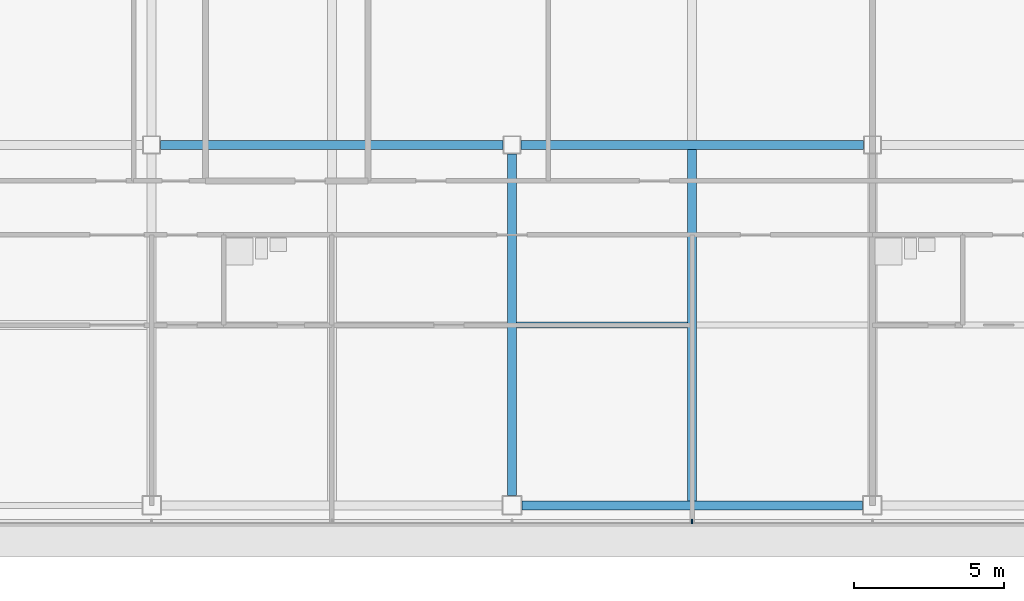
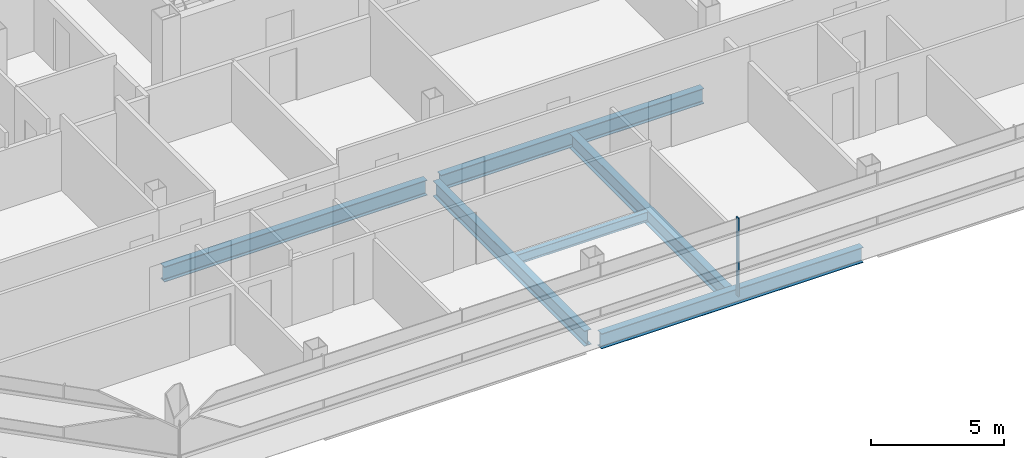
# One storey, part 3 of 26: 6 beams, 1 member, 1 element without a shape of its own.
"""IFC4 building model written with IfcOpenShell, lengths in metres."""

from ifc_helpers import new_model, si_unit, direction, frame, origin, origin_2d, place, context, subcontext, project, spatial, rectangle, i_section, extrude, material, material_profile, profile_set, type_object, element, aggregate, save


model = new_model("IFC4")

# Units and contexts
model_context = context("Model", 3, precision=1e-05, world=origin(), true_north=direction((0.0, 1.0)))
body_context = subcontext(model_context, "Body", "Model", "MODEL_VIEW")
ifc_project = project(units=[si_unit("LENGTHUNIT", "METRE"), si_unit("AREAUNIT", "SQUARE_METRE"), si_unit("VOLUMEUNIT", "CUBIC_METRE"), si_unit("PLANEANGLEUNIT", "RADIAN"), si_unit("MASSUNIT", "GRAM", prefix="KILO")], contexts=[model_context])

# Site, building, storey
site_placement = place(None, origin())
site = spatial("IfcSite", under=ifc_project, at=site_placement, CompositionType="ELEMENT")
building_placement = place(site_placement, origin())
building = spatial("IfcBuilding", under=site, at=building_placement, Name="Sorahane Residences", CompositionType="ELEMENT")
storey_placement = place(building_placement, frame((0.0, 0.0, 215.39990234375)))
storey = spatial("IfcBuildingStorey", under=building, at=storey_placement, Name="L50", CompositionType="ELEMENT", Elevation=215.39990234375)

# Curtain wall, member
ifc_material_1 = material(Name="Dark low-e glass and black anodised aluminium", Category="aluminium")
curtain_wall_type = type_object("IfcCurtainWallType", Name="Curtain wall CW-1 Typical unitised wall", PredefinedType="NOTDEFINED", material=ifc_material_1)
curtain_wall_placement = place(storey_placement, origin())
curtain_wall = element("IfcCurtainWall", 1, at=curtain_wall_placement, inside=storey, type_object=curtain_wall_type, Name="CW-1 curtain wall L50 S1", PredefinedType="NOTDEFINED")
ifc_material_2 = material(Name="Black anodised aluminium", Category="aluminium")
ifc_material_profile_1 = material_profile(ifc_material_2, rectangle(XDim=0.159912109375, YDim=0.050048828125, at=origin_2d()), Name="Curtain wall mullion CW-1 black anodised aluminium 50x160")
ifc_profile_set_1 = profile_set([ifc_material_profile_1], Name="Black anodised aluminium")
member_type = type_object("IfcMemberType", Name="Curtain wall mullion CW-1 black anodised aluminium 50x160", PredefinedType="MULLION", material=ifc_profile_set_1)
member_placement = place(storey_placement, frame((18.0, -0.5400390625, -0.179931640625), z_axis=(0.0, 0.0, 1.0), x_axis=(0.0, -1.0, 0.0)))
member = element("IfcMember", 2, at=member_placement, type_object=member_type, Name="CW-1 mullion L50 S1.5", PredefinedType="MULLION", context=body_context, shape_type="SweptSolid", body=[
    extrude(rectangle(XDim=0.159912109375, YDim=0.050048828125, at=origin_2d()), origin(), (0.0, 0.0, 1.0), 3.60009765625),
])
aggregate(curtain_wall, [member])

# Beams
ifc_material_3 = material(Name="Steel Q355B", Category="steel")
ifc_material_profile_2 = material_profile(ifc_material_3, i_section(OverallWidth=0.199951171875, OverallDepth=0.449951171875, WebThickness=0.009033203125, FlangeThickness=0.013916015625, FilletRadius=0.02001953125, at=origin_2d()), Name="HN 450x200x9x14")
ifc_profile_set_2 = profile_set([ifc_material_profile_2], Name="Steel Q355B")
beam_type_1 = type_object("IfcBeamType", Name="Steel floor beam HN 450x200x9x14 Q355B", PredefinedType="BEAM", material=ifc_profile_set_2)
beam_1_placement = place(storey_placement, frame((12.14990234375, 6.0, -0.40478515625), z_axis=(1.0, 0.0, 0.0), x_axis=(0.0, 1.0, 0.0)))
element("IfcBeam", 3, at=beam_1_placement, inside=storey, type_object=beam_type_1, Name="Beam L50 071", PredefinedType="BEAM", context=body_context, shape_type="SweptSolid", body=[
    extrude(i_section(OverallWidth=0.199951171875, OverallDepth=0.449951171875, WebThickness=0.009033203125, FlangeThickness=0.013916015625, FilletRadius=0.02001953125, at=origin_2d()), origin(), (0.0, 0.0, 1.0), 5.7001953125),
])
ifc_material_4 = material(Name="Steel Q355B", Category="steel")
ifc_material_profile_3 = material_profile(ifc_material_4, i_section(OverallWidth=0.300048828125, OverallDepth=0.699951171875, WebThickness=0.012939453125, FlangeThickness=0.02392578125, FilletRadius=0.028076171875, at=origin_2d()), Name="HN 700x300x13x24")
ifc_profile_set_3 = profile_set([ifc_material_profile_3], Name="Steel Q355B")
beam_type_2 = type_object("IfcBeamType", Name="Steel floor beam HN 700x300x13x24 Q355B", PredefinedType="BEAM", material=ifc_profile_set_3)
beam_2_placement = place(storey_placement, frame((12.324951171875, 0.0, -0.52978515625), z_axis=(1.0, 0.0, 0.0), x_axis=(0.0, 1.0, 0.0)))
element("IfcBeam", 4, at=beam_2_placement, inside=storey, type_object=beam_type_2, Name="Beam L50 002", PredefinedType="BEAM", context=body_context, shape_type="SweptSolid", body=[
    extrude(i_section(OverallWidth=0.300048828125, OverallDepth=0.699951171875, WebThickness=0.012939453125, FlangeThickness=0.02392578125, FilletRadius=0.028076171875, at=origin_2d()), origin(), (0.0, 0.0, 1.0), 11.35009765625),
])
for number, where, z_axis, x_axis, name in (
    (5, (0.300048828125, 12.0, -0.52978515625), (1.0, 0.0, 0.0), (0.0, 1.0, 0.0), "Beam L50 006"),
    (6, (12.300048828125, 12.0, -0.52978515625), (1.0, 0.0, 0.0), (0.0, 1.0, 0.0), "Beam L50 007"),
):
    element("IfcBeam", number, at=place(storey_placement, frame(where, z_axis=z_axis, x_axis=x_axis)), inside=storey, type_object=beam_type_2, Name=name, PredefinedType="BEAM", context=body_context, shape_type="SweptSolid", body=[
        extrude(i_section(OverallWidth=0.300048828125, OverallDepth=0.699951171875, WebThickness=0.012939453125, FlangeThickness=0.02392578125, FilletRadius=0.028076171875, at=origin_2d()), origin(), (0.0, 0.0, 1.0), 11.39990234375),
    ])
beam_3_placement = place(storey_placement, frame((12.0, 0.324951171875, -0.52978515625), z_axis=(0.0, 1.0, 0.0), x_axis=(-1.0, 0.0, 0.0)))
element("IfcBeam", 7, at=beam_3_placement, inside=storey, type_object=beam_type_2, Name="Beam L50 034", PredefinedType="BEAM", context=body_context, shape_type="SweptSolid", body=[
    extrude(i_section(OverallWidth=0.300048828125, OverallDepth=0.699951171875, WebThickness=0.012939453125, FlangeThickness=0.02392578125, FilletRadius=0.028076171875, at=origin_2d()), origin(), (0.0, 0.0, 1.0), 11.375),
])
beam_4_placement = place(storey_placement, frame((18.0, 0.14990234375, -0.52978515625), z_axis=(0.0, 1.0, 0.0), x_axis=(-1.0, 0.0, 0.0)))
element("IfcBeam", 8, at=beam_4_placement, inside=storey, type_object=beam_type_2, Name="Beam L50 036", PredefinedType="BEAM", context=body_context, shape_type="SweptSolid", body=[
    extrude(i_section(OverallWidth=0.300048828125, OverallDepth=0.699951171875, WebThickness=0.012939453125, FlangeThickness=0.02392578125, FilletRadius=0.028076171875, at=origin_2d()), origin(), (0.0, 0.0, 1.0), 11.7001953125),
])

save(model, "model.ifc")
